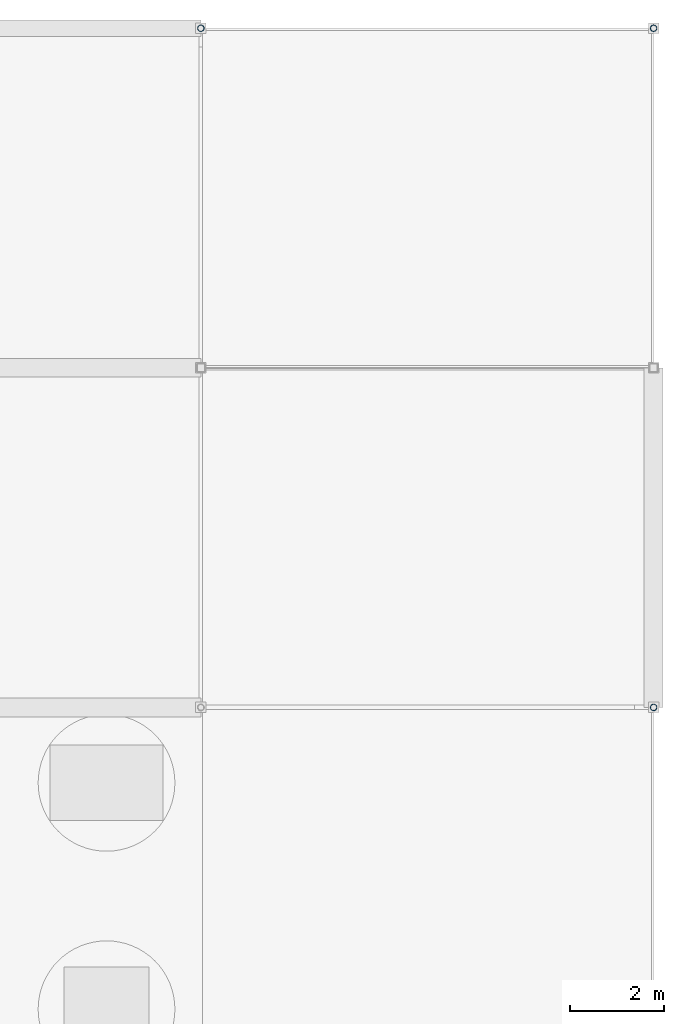
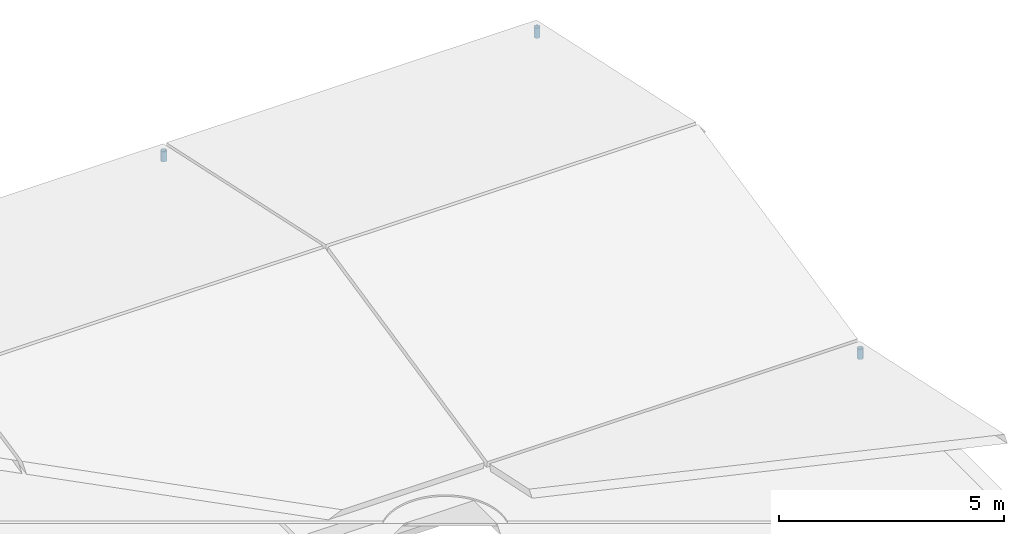
# One storey, part 9 of 11: 3 members.
"""IFC4 building model written with IfcOpenShell, lengths in metres."""

from ifc_helpers import new_model, si_unit, direction, frame, origin, origin_2d, place, context, subcontext, project, spatial, hollow_circle, extrude, material, material_profile, profile_set, type_object, element, save


model = new_model("IFC4")

# Units and contexts
model_context = context("Model", 3, precision=1e-05, world=origin(), true_north=direction((0.0, 1.0)))
body_context = subcontext(model_context, "Body", "Model", "MODEL_VIEW")
ifc_project = project(units=[si_unit("LENGTHUNIT", "METRE"), si_unit("AREAUNIT", "SQUARE_METRE"), si_unit("VOLUMEUNIT", "CUBIC_METRE"), si_unit("PLANEANGLEUNIT", "RADIAN"), si_unit("MASSUNIT", "GRAM", prefix="KILO")], contexts=[model_context])

# Site, building, storey
site_placement = place(None, origin())
site = spatial("IfcSite", under=ifc_project, at=site_placement, CompositionType="ELEMENT")
building_placement = place(site_placement, origin())
building = spatial("IfcBuilding", under=site, at=building_placement, Name="Kisaragi Civic Commons", CompositionType="ELEMENT")
storey_placement = place(building_placement, frame((0.0, 0.0, 21.60009765625)))
storey = spatial("IfcBuildingStorey", under=building, at=storey_placement, Name="RF", CompositionType="ELEMENT", Elevation=21.60009765625)

# Members
ifc_material = material(Name="Steel SN490 (SN490B)", Category="steel")
ifc_material_profile = material_profile(ifc_material, hollow_circle(Radius=0.06982421875, WallThickness=0.006103515625, at=origin_2d()), Name="CHS-139.8x6.0", Category="steel")
ifc_profile_set = profile_set([ifc_material_profile], Name="Steel SN490 (SN490B)")
member_type = type_object("IfcMemberType", Name="ST-H1", PredefinedType="STRUT", material=ifc_profile_set)
for number, where, z_axis, x_axis, name in (
    (1, (123.60009765625, 118.800048828125, -0.25), (0.0, 0.0, 1.0), (1.0, 0.0, 0.0), "RF solar canopy post (123.6,118.8)"),
    (2, (133.199951171875, 104.39990234375, -0.25), (0.0, 0.0, 1.0), (1.0, 0.0, 0.0), "RF solar canopy post (133.2,104.4)"),
    (3, (133.199951171875, 118.800048828125, -0.25), (0.0, 0.0, 1.0), (1.0, 0.0, 0.0), "RF solar canopy post (133.2,118.8)"),
):
    element("IfcMember", number, at=place(storey_placement, frame(where, z_axis=z_axis, x_axis=x_axis)), inside=storey, type_object=member_type, Name=name, PredefinedType="STRUT", context=body_context, shape_type="SweptSolid", body=[
        extrude(hollow_circle(Radius=0.06982421875, WallThickness=0.006103515625, at=origin_2d()), origin(), (0.0, 0.0, 1.0), 0.27978515625),
    ])

save(model, "model.ifc")
